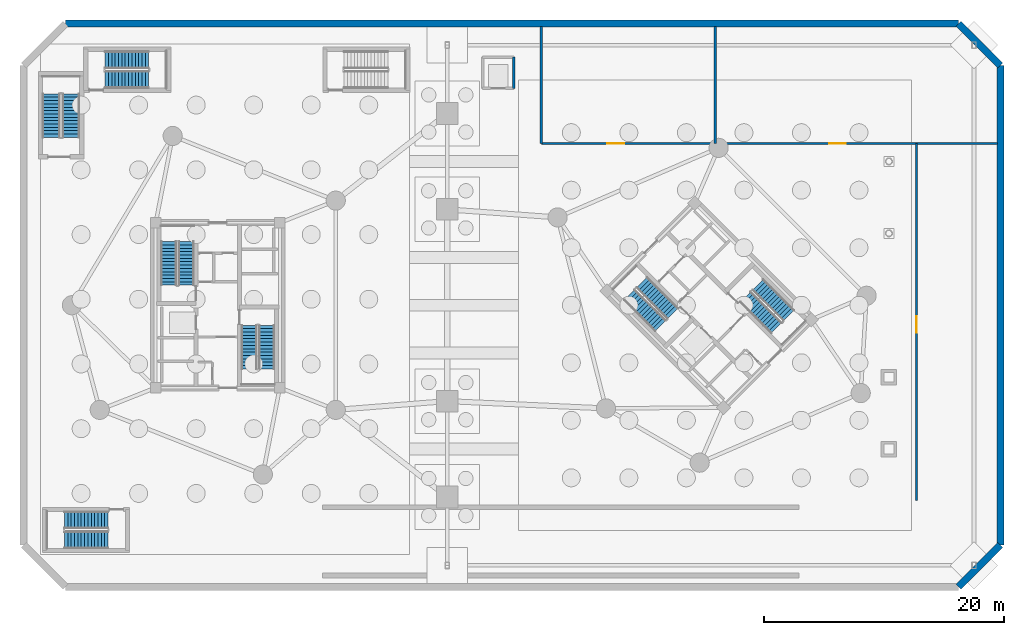
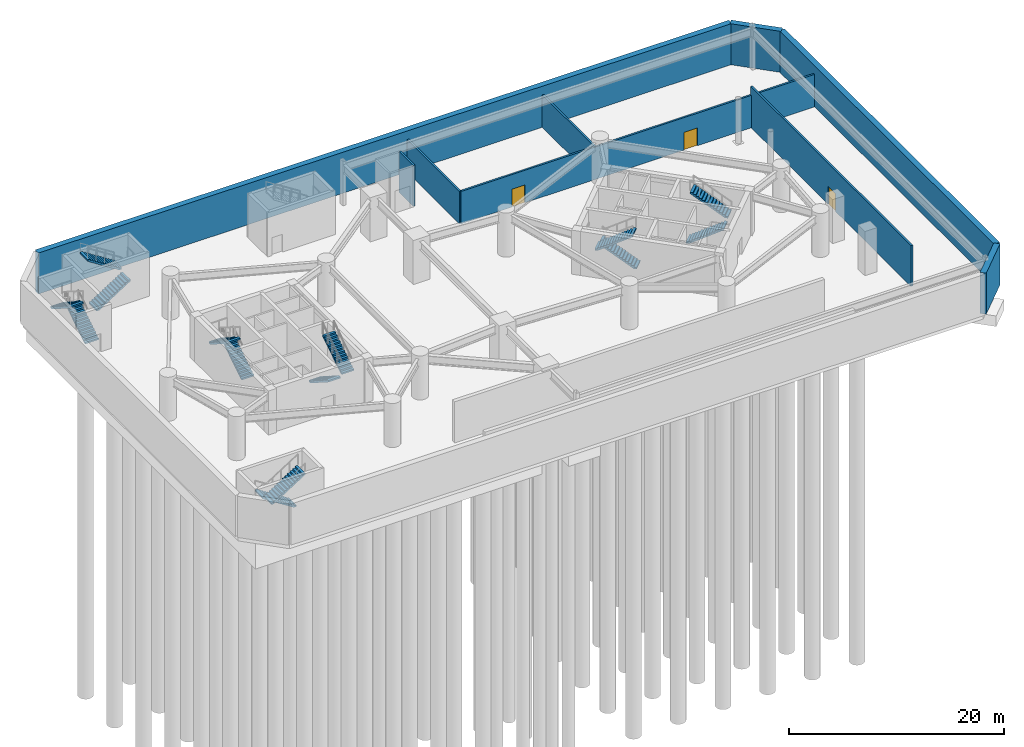
# One storey, part 9 of 15: 14 stair flights, 9 walls, 3 doors, 3 openings, 7 elements without a shape of their own.
"""IFC4 building model written with IfcOpenShell, lengths in metres."""

from ifc_helpers import new_model, si_unit, direction, frame, frame_2d, origin, place, context, subcontext, project, spatial, polyline, rectangle, outline, extrude, source, transform, mapped, material, layer, layer_set, type_object, element, fill, aggregate, save


model = new_model("IFC4")

# Units and contexts
model_context = context("Model", 3, precision=1e-05, world=origin(), true_north=direction((0.0, 1.0)))
body_context = subcontext(model_context, "Body", "Model", "MODEL_VIEW")
ifc_project = project(units=[si_unit("LENGTHUNIT", "METRE"), si_unit("AREAUNIT", "SQUARE_METRE"), si_unit("VOLUMEUNIT", "CUBIC_METRE"), si_unit("PLANEANGLEUNIT", "RADIAN"), si_unit("MASSUNIT", "GRAM", prefix="KILO")], contexts=[model_context])

# Site, building, storey
site_placement = place(None, origin())
site = spatial("IfcSite", under=ifc_project, at=site_placement, CompositionType="ELEMENT")
building_placement = place(site_placement, origin())
building = spatial("IfcBuilding", under=site, at=building_placement, Name="Cununo Teusaquillo Station Towers", CompositionType="ELEMENT")
storey_placement = place(building_placement, frame((0.0, 0.0, -10.0)))
storey = spatial("IfcBuildingStorey", under=building, at=storey_placement, Name="B02", CompositionType="ELEMENT", Elevation=-10.0)

# Wall
ifc_material_1 = material(Name="Fire-rated gypsum plasterboard partition assembly", Category="gypsum")
ifc_layer_1 = layer(ifc_material_1, 0.199951171875)
ifc_layer_set_1 = layer_set([ifc_layer_1], Name="Fire-rated gypsum plasterboard partition assembly")
wall_type_1 = type_object("IfcWallType", Name="WL-PART-200", PredefinedType="PARTITIONING", material=ifc_layer_set_1)
wall_1_placement = place(storey_placement, frame((41.199951171875, 42.60009765625, 0.0), z_axis=(0.0, 0.0, 1.0), x_axis=(0.0, 1.0, 0.0)))
element("IfcWall", 1, at=wall_1_placement, inside=storey, type_object=wall_type_1, Name="B02 Podium Lift Shaft Enclosure Wall E", PredefinedType="PARTITIONING", context=body_context, shape_type="SweptSolid", body=[
    extrude(rectangle(XDim=2.599853515625, YDim=0.199951171875, at=frame_2d((1.2998046875, 0.0))), origin(), (0.0, 0.0, 1.0), 4.64501953125),
])

# Wall, openings, doors
wall_2_placement = place(storey_placement, frame((43.5, 38.0, 0.0), z_axis=(0.0, 0.0, 1.0), x_axis=(1.0, 0.0, 0.0)))
wall_2 = element("IfcWall", 2, at=wall_2_placement, inside=storey, type_object=wall_type_1, Name="B02 North Plant Corridor Fire Wall", PredefinedType="PARTITIONING", context=body_context, shape_type="SweptSolid", body=[
    extrude(rectangle(XDim=38.050048828125, YDim=0.199951171875, at=frame_2d((19.02490234375, 0.0))), origin(), (0.0, 0.0, 1.0), 3.68896484375),
])
shared_shape_1 = source(origin(), body_context, "Body", "SweptSolid", [
    extrude(rectangle(XDim=1.39990234375, YDim=2.02001953125, at=frame_2d((0.699951171875, 1.010009765625))), frame((0.0, 0.10986328125, 0.0), z_axis=(0.0, -1.0, 0.0), x_axis=(1.0, 0.0, 0.0)), (0.0, 0.0, 1.0), 0.219970703125),
])
opening_1_placement = place(wall_2_placement, frame((5.5, 0.0, 0.0)))
opening_1 = element("IfcOpeningElement", 3, at=opening_1_placement, cuts=wall_2, Name="Opening D-PL1", PredefinedType="OPENING", context=body_context, shape_type="MappedRepresentation", body=[
    mapped(shared_shape_1, transform((0.0, 0.0, 0.0), x_axis=(1.0, 0.0, 0.0), y_axis=(0.0, 1.0, 0.0), z_axis=(0.0, 0.0, 1.0), scale=1.0)),
])
opening_2_placement = place(wall_2_placement, frame((24.0, 0.0, 0.0)))
opening_2 = element("IfcOpeningElement", 4, at=opening_2_placement, cuts=wall_2, Name="Opening D-PL1", PredefinedType="OPENING", context=body_context, shape_type="MappedRepresentation", body=[
    mapped(shared_shape_1, transform((0.0, 0.0, 0.0), x_axis=(1.0, 0.0, 0.0), y_axis=(0.0, 1.0, 0.0), z_axis=(0.0, 0.0, 1.0), scale=1.0)),
])
ifc_material_2 = material(Name="Galvanised fire-rated hollow steel door assembly", Category="steel")
door_type = type_object("IfcDoorType", Name="DR-PLANT-1400", OperationType="NOTDEFINED", PredefinedType="DOOR", material=ifc_material_2)
shared_shape_2 = source(origin(), body_context, "Body", "SweptSolid", [
    extrude(rectangle(XDim=1.39990234375, YDim=2.02001953125, at=frame_2d((0.699951171875, 1.010009765625))), frame((0.0, 0.02490234375, 0.0), z_axis=(0.0, -1.0, 0.0), x_axis=(1.0, 0.0, 0.0)), (0.0, 0.0, 1.0), 0.050048828125),
])
door_1_placement = place(opening_1_placement, origin())
door_1 = element("IfcDoor", 5, at=door_1_placement, inside=storey, type_object=door_type, Name="B02 High-Voltage Substation Door", OperationType="SINGLE_SWING_LEFT", OverallHeight=2.02001953125, OverallWidth=1.39990234375, PredefinedType="DOOR", context=body_context, shape_type="MappedRepresentation", body=[
    mapped(shared_shape_2, transform((0.0, 0.0, 0.0), x_axis=(1.0, 0.0, 0.0), y_axis=(0.0, 1.0, 0.0), z_axis=(0.0, 0.0, 1.0), scale=1.0)),
])
fill(opening_1, door_1)
door_2_placement = place(opening_2_placement, origin())
door_2 = element("IfcDoor", 6, at=door_2_placement, inside=storey, type_object=door_type, Name="B02 Standby Diesel Generator Hall Door", OperationType="SINGLE_SWING_RIGHT", OverallHeight=2.02001953125, OverallWidth=1.39990234375, PredefinedType="DOOR", context=body_context, shape_type="MappedRepresentation", body=[
    mapped(shared_shape_2, transform((0.0, 0.0, 0.0), x_axis=(1.0, 0.0, 0.0), y_axis=(0.0, 1.0, 0.0), z_axis=(0.0, 0.0, 1.0), scale=1.0)),
])
fill(opening_2, door_2)

# Walls
for number, where, z_axis, x_axis, name in (
    (7, (43.5, 38.0, 0.0), (0.0, 0.0, 1.0), (0.0, 1.0, 0.0), "B02 Substation West Fire Wall"),
    (8, (58.0, 38.0, 0.0), (0.0, 0.0, 1.0), (0.0, 1.0, 0.0), "B02 Substation & Generator Fire Wall"),
):
    element("IfcWall", number, at=place(storey_placement, frame(where, z_axis=z_axis, x_axis=x_axis)), inside=storey, type_object=wall_type_1, Name=name, PredefinedType="PARTITIONING", context=body_context, shape_type="SweptSolid", body=[
        extrude(rectangle(XDim=9.75, YDim=0.199951171875, at=frame_2d((4.875, 0.0))), origin(), (0.0, 0.0, 1.0), 3.68896484375),
    ])

# Wall, opening, door
wall_3_placement = place(storey_placement, frame((74.800048828125, 8.199951171875, 0.0), z_axis=(0.0, 0.0, 1.0), x_axis=(0.0, 1.0, 0.0)))
wall_3 = element("IfcWall", 9, at=wall_3_placement, inside=storey, type_object=wall_type_1, Name="B02 Fire & Domestic Water Tank Room Wall", PredefinedType="PARTITIONING", context=body_context, shape_type="SweptSolid", body=[
    extrude(rectangle(XDim=29.800048828125, YDim=0.199951171875, at=frame_2d((14.89990234375, 0.0))), origin(), (0.0, 0.0, 1.0), 4.64501953125),
])
opening_3_placement = place(wall_3_placement, frame((14.0, 0.0, 0.0)))
opening_3 = element("IfcOpeningElement", 10, at=opening_3_placement, cuts=wall_3, Name="Opening D-PL1", PredefinedType="OPENING", context=body_context, shape_type="MappedRepresentation", body=[
    mapped(shared_shape_1, transform((0.0, 0.0, 0.0), x_axis=(1.0, 0.0, 0.0), y_axis=(0.0, 1.0, 0.0), z_axis=(0.0, 0.0, 1.0), scale=1.0)),
])
door_3_placement = place(opening_3_placement, origin())
door_3 = element("IfcDoor", 11, at=door_3_placement, inside=storey, type_object=door_type, Name="B02 Fire & Domestic Water Pump Room Door", OperationType="SINGLE_SWING_LEFT", OverallHeight=2.02001953125, OverallWidth=1.39990234375, PredefinedType="DOOR", context=body_context, shape_type="MappedRepresentation", body=[
    mapped(shared_shape_2, transform((0.0, 0.0, 0.0), x_axis=(1.0, 0.0, 0.0), y_axis=(0.0, 1.0, 0.0), z_axis=(0.0, 0.0, 1.0), scale=1.0)),
])
fill(opening_3, door_3)

# Walls
ifc_material_3 = material(Name="Concrete C50/60", Category="concrete")
ifc_layer_2 = layer(ifc_material_3, 0.60009765625)
ifc_layer_set_2 = layer_set([ifc_layer_2], Name="Concrete C50/60")
wall_type_2 = type_object("IfcWallType", Name="WL-RET-600", PredefinedType="SOLIDWALL", material=ifc_layer_set_2)
wall_4_placement = place(storey_placement, frame((78.300048828125, 1.0, 0.0), z_axis=(0.0, 0.0, 1.0), x_axis=(0.707106781187, 0.707106781187, 0.0)))
element("IfcWall", 12, at=wall_4_placement, inside=storey, type_object=wall_type_2, Name="B02 Basement Diaphragm Retaining Wall 2", PredefinedType="SOLIDWALL", context=body_context, shape_type="SweptSolid", body=[
    extrude(rectangle(XDim=4.94970703125, YDim=0.60009765625, at=frame_2d((2.474853515625, 0.0))), origin(), (0.0, 0.0, 1.0), 4.659912109375),
])
wall_5_placement = place(storey_placement, frame((81.800048828125, 4.5, 0.0), z_axis=(0.0, 0.0, 1.0), x_axis=(0.0, 1.0, 0.0)))
element("IfcWall", 13, at=wall_5_placement, inside=storey, type_object=wall_type_2, Name="B02 Basement Diaphragm Retaining Wall 3", PredefinedType="SOLIDWALL", context=body_context, shape_type="SweptSolid", body=[
    extrude(rectangle(XDim=40.0, YDim=0.60009765625, at=frame_2d((20.0, 0.0))), origin(), (0.0, 0.0, 1.0), 4.659912109375),
])
wall_6_placement = place(storey_placement, frame((81.800048828125, 44.5, 0.0), z_axis=(0.0, 0.0, 1.0), x_axis=(-0.707106781187, 0.707106781187, 0.0)))
element("IfcWall", 14, at=wall_6_placement, inside=storey, type_object=wall_type_2, Name="B02 Basement Diaphragm Retaining Wall 4", PredefinedType="SOLIDWALL", context=body_context, shape_type="SweptSolid", body=[
    extrude(rectangle(XDim=4.94970703125, YDim=0.60009765625, at=frame_2d((2.474853515625, 0.0))), origin(), (0.0, 0.0, 1.0), 4.659912109375),
])
wall_7_placement = place(storey_placement, frame((78.300048828125, 48.0, 0.0), z_axis=(0.0, 0.0, 1.0), x_axis=(-1.0, 0.0, 0.0)))
element("IfcWall", 15, at=wall_7_placement, inside=storey, type_object=wall_type_2, Name="B02 Basement Diaphragm Retaining Wall 5", PredefinedType="SOLIDWALL", context=body_context, shape_type="SweptSolid", body=[
    extrude(rectangle(XDim=74.5, YDim=0.60009765625, at=frame_2d((37.25, 0.0))), origin(), (0.0, 0.0, 1.0), 4.659912109375),
])

# Stair, stair flights
ifc_material_4 = material(Name="Concrete C50/60", Category="concrete")
stair_type_1 = type_object("IfcStairType", Name="ST-POD-1450", PredefinedType="HALF_TURN_STAIR", material=ifc_material_4)
stair_1_placement = place(storey_placement, origin())
stair_1 = element("IfcStair", 16, at=stair_1_placement, inside=storey, type_object=stair_type_1, Name="B02 Station Podium South Protected Exit Stair", PredefinedType="HALF_TURN_STAIR")
ifc_material_5 = material(Name="Concrete C50/60", Category="concrete")
stair_flight_type_1 = type_object("IfcStairFlightType", Name="SFL-POD-1450", PredefinedType="STRAIGHT", material=ifc_material_5)
stair_flight_1_placement = place(storey_placement, frame((7.35009765625, 6.574951171875, 0.0), z_axis=(0.0, 0.0, 1.0), x_axis=(-1.0, 0.0, 0.0)))
stair_flight_1 = element("IfcStairFlight", 17, at=stair_flight_1_placement, type_object=stair_flight_type_1, Name="ST-POD-S flight 1", NumberOfRisers=14, NumberOfTreads=13, PredefinedType="STRAIGHT", RiserHeight=0.178571429, TreadLength=0.28, context=body_context, shape_type="SweptSolid", body=[
    extrude(outline(polyline([(0.0, 0.0), (0.0, 0.178466796875), (0.280029296875, 0.178466796875), (0.280029296875, 0.357177734375), (0.56005859375, 0.357177734375), (0.56005859375, 0.53564453125), (0.840087890625, 0.53564453125), (0.840087890625, 0.71435546875), (1.1201171875, 0.71435546875), (1.1201171875, 0.892822265625), (1.39990234375, 0.892822265625), (1.39990234375, 1.071533203125), (1.679931640625, 1.071533203125), (1.679931640625, 1.25), (1.9599609375, 1.25), (1.9599609375, 1.428466796875), (2.239990234375, 1.428466796875), (2.239990234375, 1.607177734375), (2.52001953125, 1.607177734375), (2.52001953125, 1.78564453125), (2.800048828125, 1.78564453125), (2.800048828125, 1.96435546875), (3.080078125, 1.96435546875), (3.080078125, 2.142822265625), (3.360107421875, 2.142822265625), (3.360107421875, 2.321533203125), (3.639892578125, 2.321533203125), (3.639892578125, 2.5), (3.639892578125, 2.1435546875), (0.27880859375, 0.0), (0.0, 0.0)])), frame((0.0, 0.72509765625, 0.0), z_axis=(0.0, -1.0, 0.0), x_axis=(1.0, 0.0, 0.0)), (0.0, 0.0, 1.0), 1.449951171875),
])
stair_flight_2_placement = place(storey_placement, frame((3.7099609375, 4.925048828125, 2.5), z_axis=(0.0, 0.0, 1.0), x_axis=(1.0, 0.0, 0.0)))
stair_flight_2 = element("IfcStairFlight", 18, at=stair_flight_2_placement, type_object=stair_flight_type_1, Name="ST-POD-S flight 2", NumberOfRisers=14, NumberOfTreads=13, PredefinedType="STRAIGHT", RiserHeight=0.178571429, TreadLength=0.28, context=body_context, shape_type="SweptSolid", body=[
    extrude(outline(polyline([(0.0, 0.0), (0.0, 0.178466796875), (0.280029296875, 0.178466796875), (0.280029296875, 0.357177734375), (0.56005859375, 0.357177734375), (0.56005859375, 0.53564453125), (0.840087890625, 0.53564453125), (0.840087890625, 0.71435546875), (1.1201171875, 0.71435546875), (1.1201171875, 0.892822265625), (1.39990234375, 0.892822265625), (1.39990234375, 1.071533203125), (1.679931640625, 1.071533203125), (1.679931640625, 1.25), (1.9599609375, 1.25), (1.9599609375, 1.428466796875), (2.239990234375, 1.428466796875), (2.239990234375, 1.607177734375), (2.52001953125, 1.607177734375), (2.52001953125, 1.78564453125), (2.800048828125, 1.78564453125), (2.800048828125, 1.96435546875), (3.080078125, 1.96435546875), (3.080078125, 2.142822265625), (3.360107421875, 2.142822265625), (3.360107421875, 2.321533203125), (3.639892578125, 2.321533203125), (3.639892578125, 2.5), (3.639892578125, 2.1435546875), (0.27880859375, 0.0), (0.0, 0.0)])), frame((0.0, 0.72509765625, 0.0), z_axis=(0.0, -1.0, 0.0), x_axis=(1.0, 0.0, 0.0)), (0.0, 0.0, 1.0), 1.449951171875),
])
aggregate(stair_1, [stair_flight_1, stair_flight_2])

stair_2_placement = place(storey_placement, origin())
stair_2 = element("IfcStair", 19, at=stair_2_placement, inside=storey, type_object=stair_type_1, Name="B02 Station Podium West Protected Exit Stair", PredefinedType="HALF_TURN_STAIR")
stair_flight_3_placement = place(storey_placement, frame((4.2548828125, 38.5, 0.0), z_axis=(0.0, 0.0, 1.0), x_axis=(0.0, 1.0, 0.0)))
stair_flight_3 = element("IfcStairFlight", 20, at=stair_flight_3_placement, type_object=stair_flight_type_1, Name="ST-POD-W flight 1", NumberOfRisers=14, NumberOfTreads=13, PredefinedType="STRAIGHT", RiserHeight=0.178571429, TreadLength=0.28, context=body_context, shape_type="SweptSolid", body=[
    extrude(outline(polyline([(0.0, 0.0), (0.0, 0.178466796875), (0.280029296875, 0.178466796875), (0.280029296875, 0.357177734375), (0.56005859375, 0.357177734375), (0.56005859375, 0.53564453125), (0.840087890625, 0.53564453125), (0.840087890625, 0.71435546875), (1.1201171875, 0.71435546875), (1.1201171875, 0.892822265625), (1.39990234375, 0.892822265625), (1.39990234375, 1.071533203125), (1.679931640625, 1.071533203125), (1.679931640625, 1.25), (1.9599609375, 1.25), (1.9599609375, 1.428466796875), (2.239990234375, 1.428466796875), (2.239990234375, 1.607177734375), (2.52001953125, 1.607177734375), (2.52001953125, 1.78564453125), (2.800048828125, 1.78564453125), (2.800048828125, 1.96435546875), (3.080078125, 1.96435546875), (3.080078125, 2.142822265625), (3.360107421875, 2.142822265625), (3.360107421875, 2.321533203125), (3.639892578125, 2.321533203125), (3.639892578125, 2.5), (3.639892578125, 2.1435546875), (0.27880859375, 0.0), (0.0, 0.0)])), frame((0.0, 0.72509765625, 0.0), z_axis=(0.0, -1.0, 0.0), x_axis=(1.0, 0.0, 0.0)), (0.0, 0.0, 1.0), 1.449951171875),
])
stair_flight_4_placement = place(storey_placement, frame((2.60498046875, 42.139892578125, 2.5), z_axis=(0.0, 0.0, 1.0), x_axis=(0.0, -1.0, 0.0)))
stair_flight_4 = element("IfcStairFlight", 21, at=stair_flight_4_placement, type_object=stair_flight_type_1, Name="ST-POD-W flight 2", NumberOfRisers=14, NumberOfTreads=13, PredefinedType="STRAIGHT", RiserHeight=0.178571429, TreadLength=0.28, context=body_context, shape_type="SweptSolid", body=[
    extrude(outline(polyline([(0.0, 0.0), (0.0, 0.178466796875), (0.280029296875, 0.178466796875), (0.280029296875, 0.357177734375), (0.56005859375, 0.357177734375), (0.56005859375, 0.53564453125), (0.840087890625, 0.53564453125), (0.840087890625, 0.71435546875), (1.1201171875, 0.71435546875), (1.1201171875, 0.892822265625), (1.39990234375, 0.892822265625), (1.39990234375, 1.071533203125), (1.679931640625, 1.071533203125), (1.679931640625, 1.25), (1.9599609375, 1.25), (1.9599609375, 1.428466796875), (2.239990234375, 1.428466796875), (2.239990234375, 1.607177734375), (2.52001953125, 1.607177734375), (2.52001953125, 1.78564453125), (2.800048828125, 1.78564453125), (2.800048828125, 1.96435546875), (3.080078125, 1.96435546875), (3.080078125, 2.142822265625), (3.360107421875, 2.142822265625), (3.360107421875, 2.321533203125), (3.639892578125, 2.321533203125), (3.639892578125, 2.5), (3.639892578125, 2.1435546875), (0.27880859375, 0.0), (0.0, 0.0)])), frame((0.0, 0.72509765625, 0.0), z_axis=(0.0, -1.0, 0.0), x_axis=(1.0, 0.0, 0.0)), (0.0, 0.0, 1.0), 1.449951171875),
])
aggregate(stair_2, [stair_flight_3, stair_flight_4])

stair_3_placement = place(storey_placement, origin())
stair_3 = element("IfcStair", 22, at=stair_3_placement, inside=storey, type_object=stair_type_1, Name="B02 Station Podium North-West Protected Exit Stair", PredefinedType="HALF_TURN_STAIR")
stair_flight_5_placement = place(storey_placement, frame((7.10009765625, 43.324951171875, 0.0), z_axis=(0.0, 0.0, 1.0), x_axis=(1.0, 0.0, 0.0)))
stair_flight_5 = element("IfcStairFlight", 23, at=stair_flight_5_placement, type_object=stair_flight_type_1, Name="ST-POD-C flight 1", NumberOfRisers=14, NumberOfTreads=13, PredefinedType="STRAIGHT", RiserHeight=0.178571429, TreadLength=0.28, context=body_context, shape_type="SweptSolid", body=[
    extrude(outline(polyline([(0.0, 0.0), (0.0, 0.178466796875), (0.280029296875, 0.178466796875), (0.280029296875, 0.357177734375), (0.56005859375, 0.357177734375), (0.56005859375, 0.53564453125), (0.840087890625, 0.53564453125), (0.840087890625, 0.71435546875), (1.1201171875, 0.71435546875), (1.1201171875, 0.892822265625), (1.39990234375, 0.892822265625), (1.39990234375, 1.071533203125), (1.679931640625, 1.071533203125), (1.679931640625, 1.25), (1.9599609375, 1.25), (1.9599609375, 1.428466796875), (2.239990234375, 1.428466796875), (2.239990234375, 1.607177734375), (2.52001953125, 1.607177734375), (2.52001953125, 1.78564453125), (2.800048828125, 1.78564453125), (2.800048828125, 1.96435546875), (3.080078125, 1.96435546875), (3.080078125, 2.142822265625), (3.360107421875, 2.142822265625), (3.360107421875, 2.321533203125), (3.639892578125, 2.321533203125), (3.639892578125, 2.5), (3.639892578125, 2.1435546875), (0.27880859375, 0.0), (0.0, 0.0)])), frame((0.0, 0.72509765625, 0.0), z_axis=(0.0, -1.0, 0.0), x_axis=(1.0, 0.0, 0.0)), (0.0, 0.0, 1.0), 1.449951171875),
])
stair_flight_6_placement = place(storey_placement, frame((10.739990234375, 44.97509765625, 2.5), z_axis=(0.0, 0.0, 1.0), x_axis=(-1.0, 0.0, 0.0)))
stair_flight_6 = element("IfcStairFlight", 24, at=stair_flight_6_placement, type_object=stair_flight_type_1, Name="ST-POD-C flight 2", NumberOfRisers=14, NumberOfTreads=13, PredefinedType="STRAIGHT", RiserHeight=0.178571429, TreadLength=0.28, context=body_context, shape_type="SweptSolid", body=[
    extrude(outline(polyline([(0.0, 0.0), (0.0, 0.178466796875), (0.280029296875, 0.178466796875), (0.280029296875, 0.357177734375), (0.56005859375, 0.357177734375), (0.56005859375, 0.53564453125), (0.840087890625, 0.53564453125), (0.840087890625, 0.71435546875), (1.1201171875, 0.71435546875), (1.1201171875, 0.892822265625), (1.39990234375, 0.892822265625), (1.39990234375, 1.071533203125), (1.679931640625, 1.071533203125), (1.679931640625, 1.25), (1.9599609375, 1.25), (1.9599609375, 1.428466796875), (2.239990234375, 1.428466796875), (2.239990234375, 1.607177734375), (2.52001953125, 1.607177734375), (2.52001953125, 1.78564453125), (2.800048828125, 1.78564453125), (2.800048828125, 1.96435546875), (3.080078125, 1.96435546875), (3.080078125, 2.142822265625), (3.360107421875, 2.142822265625), (3.360107421875, 2.321533203125), (3.639892578125, 2.321533203125), (3.639892578125, 2.5), (3.639892578125, 2.1435546875), (0.27880859375, 0.0), (0.0, 0.0)])), frame((0.0, 0.72509765625, 0.0), z_axis=(0.0, -1.0, 0.0), x_axis=(1.0, 0.0, 0.0)), (0.0, 0.0, 1.0), 1.449951171875),
])
aggregate(stair_3, [stair_flight_5, stair_flight_6])

ifc_material_6 = material(Name="Concrete C50/60", Category="concrete")
stair_type_2 = type_object("IfcStairType", Name="ST-TWR-1300", PredefinedType="HALF_TURN_STAIR", material=ifc_material_6)
stair_4_placement = place(storey_placement, origin())
stair_4 = element("IfcStair", 25, at=stair_4_placement, inside=storey, type_object=stair_type_2, Name="B02 Tower A Protected Core Exit Stair 1", PredefinedType="HALF_TURN_STAIR")
ifc_material_7 = material(Name="Concrete C50/60", Category="concrete")
stair_flight_type_2 = type_object("IfcStairFlightType", Name="SFL-TWR-1300", PredefinedType="STRAIGHT", material=ifc_material_7)
stair_flight_7_placement = place(storey_placement, frame((13.8701171875, 26.169921875, 0.0), z_axis=(0.0, 0.0, 1.0), x_axis=(0.0, 1.0, 0.0)))
stair_flight_7 = element("IfcStairFlight", 26, at=stair_flight_7_placement, type_object=stair_flight_type_2, Name="ST-T1-1 flight 1", NumberOfRisers=14, NumberOfTreads=13, PredefinedType="STRAIGHT", RiserHeight=0.178571429, TreadLength=0.28, context=body_context, shape_type="SweptSolid", body=[
    extrude(outline(polyline([(0.0, 0.0), (0.0, 0.178466796875), (0.280029296875, 0.178466796875), (0.280029296875, 0.357177734375), (0.56005859375, 0.357177734375), (0.56005859375, 0.53564453125), (0.840087890625, 0.53564453125), (0.840087890625, 0.71435546875), (1.1201171875, 0.71435546875), (1.1201171875, 0.892822265625), (1.39990234375, 0.892822265625), (1.39990234375, 1.071533203125), (1.679931640625, 1.071533203125), (1.679931640625, 1.25), (1.9599609375, 1.25), (1.9599609375, 1.428466796875), (2.239990234375, 1.428466796875), (2.239990234375, 1.607177734375), (2.52001953125, 1.607177734375), (2.52001953125, 1.78564453125), (2.800048828125, 1.78564453125), (2.800048828125, 1.96435546875), (3.080078125, 1.96435546875), (3.080078125, 2.142822265625), (3.360107421875, 2.142822265625), (3.360107421875, 2.321533203125), (3.639892578125, 2.321533203125), (3.639892578125, 2.5), (3.639892578125, 2.1435546875), (0.27880859375, 0.0), (0.0, 0.0)])), frame((0.0, 0.64990234375, 0.0), z_axis=(0.0, -1.0, 0.0), x_axis=(1.0, 0.0, 0.0)), (0.0, 0.0, 1.0), 1.300048828125),
])
stair_flight_8_placement = place(storey_placement, frame((12.409912109375, 29.81005859375, 2.5), z_axis=(0.0, 0.0, 1.0), x_axis=(0.0, -1.0, 0.0)))
stair_flight_8 = element("IfcStairFlight", 27, at=stair_flight_8_placement, type_object=stair_flight_type_2, Name="ST-T1-1 flight 2", NumberOfRisers=14, NumberOfTreads=13, PredefinedType="STRAIGHT", RiserHeight=0.178571429, TreadLength=0.28, context=body_context, shape_type="SweptSolid", body=[
    extrude(outline(polyline([(0.0, 0.0), (0.0, 0.178466796875), (0.280029296875, 0.178466796875), (0.280029296875, 0.357177734375), (0.56005859375, 0.357177734375), (0.56005859375, 0.53564453125), (0.840087890625, 0.53564453125), (0.840087890625, 0.71435546875), (1.1201171875, 0.71435546875), (1.1201171875, 0.892822265625), (1.39990234375, 0.892822265625), (1.39990234375, 1.071533203125), (1.679931640625, 1.071533203125), (1.679931640625, 1.25), (1.9599609375, 1.25), (1.9599609375, 1.428466796875), (2.239990234375, 1.428466796875), (2.239990234375, 1.607177734375), (2.52001953125, 1.607177734375), (2.52001953125, 1.78564453125), (2.800048828125, 1.78564453125), (2.800048828125, 1.96435546875), (3.080078125, 1.96435546875), (3.080078125, 2.142822265625), (3.360107421875, 2.142822265625), (3.360107421875, 2.321533203125), (3.639892578125, 2.321533203125), (3.639892578125, 2.5), (3.639892578125, 2.1435546875), (0.27880859375, 0.0), (0.0, 0.0)])), frame((0.0, 0.64990234375, 0.0), z_axis=(0.0, -1.0, 0.0), x_axis=(1.0, 0.0, 0.0)), (0.0, 0.0, 1.0), 1.300048828125),
])
aggregate(stair_4, [stair_flight_7, stair_flight_8])

stair_5_placement = place(storey_placement, origin())
stair_5 = element("IfcStair", 28, at=stair_5_placement, inside=storey, type_object=stair_type_2, Name="B02 Tower A Protected Core Exit Stair 2", PredefinedType="HALF_TURN_STAIR")
stair_flight_9_placement = place(storey_placement, frame((19.1298828125, 22.830078125, 0.0), z_axis=(0.0, 0.0, 1.0), x_axis=(0.0, -1.0, 0.0)))
stair_flight_9 = element("IfcStairFlight", 29, at=stair_flight_9_placement, type_object=stair_flight_type_2, Name="ST-T1-2 flight 1", NumberOfRisers=14, NumberOfTreads=13, PredefinedType="STRAIGHT", RiserHeight=0.178571429, TreadLength=0.28, context=body_context, shape_type="SweptSolid", body=[
    extrude(outline(polyline([(0.0, 0.0), (0.0, 0.178466796875), (0.280029296875, 0.178466796875), (0.280029296875, 0.357177734375), (0.56005859375, 0.357177734375), (0.56005859375, 0.53564453125), (0.840087890625, 0.53564453125), (0.840087890625, 0.71435546875), (1.1201171875, 0.71435546875), (1.1201171875, 0.892822265625), (1.39990234375, 0.892822265625), (1.39990234375, 1.071533203125), (1.679931640625, 1.071533203125), (1.679931640625, 1.25), (1.9599609375, 1.25), (1.9599609375, 1.428466796875), (2.239990234375, 1.428466796875), (2.239990234375, 1.607177734375), (2.52001953125, 1.607177734375), (2.52001953125, 1.78564453125), (2.800048828125, 1.78564453125), (2.800048828125, 1.96435546875), (3.080078125, 1.96435546875), (3.080078125, 2.142822265625), (3.360107421875, 2.142822265625), (3.360107421875, 2.321533203125), (3.639892578125, 2.321533203125), (3.639892578125, 2.5), (3.639892578125, 2.1435546875), (0.27880859375, 0.0), (0.0, 0.0)])), frame((0.0, 0.64990234375, 0.0), z_axis=(0.0, -1.0, 0.0), x_axis=(1.0, 0.0, 0.0)), (0.0, 0.0, 1.0), 1.300048828125),
])
stair_flight_10_placement = place(storey_placement, frame((20.590087890625, 19.18994140625, 2.5), z_axis=(0.0, 0.0, 1.0), x_axis=(0.0, 1.0, 0.0)))
stair_flight_10 = element("IfcStairFlight", 30, at=stair_flight_10_placement, type_object=stair_flight_type_2, Name="ST-T1-2 flight 2", NumberOfRisers=14, NumberOfTreads=13, PredefinedType="STRAIGHT", RiserHeight=0.178571429, TreadLength=0.28, context=body_context, shape_type="SweptSolid", body=[
    extrude(outline(polyline([(0.0, 0.0), (0.0, 0.178466796875), (0.280029296875, 0.178466796875), (0.280029296875, 0.357177734375), (0.56005859375, 0.357177734375), (0.56005859375, 0.53564453125), (0.840087890625, 0.53564453125), (0.840087890625, 0.71435546875), (1.1201171875, 0.71435546875), (1.1201171875, 0.892822265625), (1.39990234375, 0.892822265625), (1.39990234375, 1.071533203125), (1.679931640625, 1.071533203125), (1.679931640625, 1.25), (1.9599609375, 1.25), (1.9599609375, 1.428466796875), (2.239990234375, 1.428466796875), (2.239990234375, 1.607177734375), (2.52001953125, 1.607177734375), (2.52001953125, 1.78564453125), (2.800048828125, 1.78564453125), (2.800048828125, 1.96435546875), (3.080078125, 1.96435546875), (3.080078125, 2.142822265625), (3.360107421875, 2.142822265625), (3.360107421875, 2.321533203125), (3.639892578125, 2.321533203125), (3.639892578125, 2.5), (3.639892578125, 2.1435546875), (0.27880859375, 0.0), (0.0, 0.0)])), frame((0.0, 0.64990234375, 0.0), z_axis=(0.0, -1.0, 0.0), x_axis=(1.0, 0.0, 0.0)), (0.0, 0.0, 1.0), 1.300048828125),
])
aggregate(stair_5, [stair_flight_9, stair_flight_10])

stair_6_placement = place(storey_placement, origin())
stair_6 = element("IfcStair", 31, at=stair_6_placement, inside=storey, type_object=stair_type_2, Name="B02 Tower B Protected Core Exit Stair 1", PredefinedType="HALF_TURN_STAIR")
stair_flight_11_placement = place(storey_placement, frame((54.45947265625, 23.8212890625, 0.0), z_axis=(0.0, 0.0, 1.0), x_axis=(-0.707106781187, 0.707106781187, 0.0)))
stair_flight_11 = element("IfcStairFlight", 32, at=stair_flight_11_placement, type_object=stair_flight_type_2, Name="ST-T2-1 flight 1", NumberOfRisers=14, NumberOfTreads=13, PredefinedType="STRAIGHT", RiserHeight=0.178571429, TreadLength=0.28, context=body_context, shape_type="SweptSolid", body=[
    extrude(outline(polyline([(0.0, 0.0), (0.0, 0.178466796875), (0.280029296875, 0.178466796875), (0.280029296875, 0.357177734375), (0.56005859375, 0.357177734375), (0.56005859375, 0.53564453125), (0.840087890625, 0.53564453125), (0.840087890625, 0.71435546875), (1.1201171875, 0.71435546875), (1.1201171875, 0.892822265625), (1.39990234375, 0.892822265625), (1.39990234375, 1.071533203125), (1.679931640625, 1.071533203125), (1.679931640625, 1.25), (1.9599609375, 1.25), (1.9599609375, 1.428466796875), (2.239990234375, 1.428466796875), (2.239990234375, 1.607177734375), (2.52001953125, 1.607177734375), (2.52001953125, 1.78564453125), (2.800048828125, 1.78564453125), (2.800048828125, 1.96435546875), (3.080078125, 1.96435546875), (3.080078125, 2.142822265625), (3.360107421875, 2.142822265625), (3.360107421875, 2.321533203125), (3.639892578125, 2.321533203125), (3.639892578125, 2.5), (3.639892578125, 2.1435546875), (0.27880859375, 0.0), (0.0, 0.0)])), frame((0.0, 0.64990234375, 0.0), z_axis=(0.0, -1.0, 0.0), x_axis=(1.0, 0.0, 0.0)), (0.0, 0.0, 1.0), 1.300048828125),
])
stair_flight_12_placement = place(storey_placement, frame((50.853271484375, 25.362548828125, 2.5), z_axis=(0.0, 0.0, 1.0), x_axis=(0.707106781187, -0.707106781187, 0.0)))
stair_flight_12 = element("IfcStairFlight", 33, at=stair_flight_12_placement, type_object=stair_flight_type_2, Name="ST-T2-1 flight 2", NumberOfRisers=14, NumberOfTreads=13, PredefinedType="STRAIGHT", RiserHeight=0.178571429, TreadLength=0.28, context=body_context, shape_type="SweptSolid", body=[
    extrude(outline(polyline([(0.0, 0.0), (0.0, 0.178466796875), (0.280029296875, 0.178466796875), (0.280029296875, 0.357177734375), (0.56005859375, 0.357177734375), (0.56005859375, 0.53564453125), (0.840087890625, 0.53564453125), (0.840087890625, 0.71435546875), (1.1201171875, 0.71435546875), (1.1201171875, 0.892822265625), (1.39990234375, 0.892822265625), (1.39990234375, 1.071533203125), (1.679931640625, 1.071533203125), (1.679931640625, 1.25), (1.9599609375, 1.25), (1.9599609375, 1.428466796875), (2.239990234375, 1.428466796875), (2.239990234375, 1.607177734375), (2.52001953125, 1.607177734375), (2.52001953125, 1.78564453125), (2.800048828125, 1.78564453125), (2.800048828125, 1.96435546875), (3.080078125, 1.96435546875), (3.080078125, 2.142822265625), (3.360107421875, 2.142822265625), (3.360107421875, 2.321533203125), (3.639892578125, 2.321533203125), (3.639892578125, 2.5), (3.639892578125, 2.1435546875), (0.27880859375, 0.0), (0.0, 0.0)])), frame((0.0, 0.64990234375, 0.0), z_axis=(0.0, -1.0, 0.0), x_axis=(1.0, 0.0, 0.0)), (0.0, 0.0, 1.0), 1.300048828125),
])
aggregate(stair_6, [stair_flight_11, stair_flight_12])

stair_7_placement = place(storey_placement, origin())
stair_7 = element("IfcStair", 34, at=stair_7_placement, inside=storey, type_object=stair_type_2, Name="B02 Tower B Protected Core Exit Stair 2", PredefinedType="HALF_TURN_STAIR")
stair_flight_13_placement = place(storey_placement, frame((60.54052734375, 25.1787109375, 0.0), z_axis=(0.0, 0.0, 1.0), x_axis=(0.707106781187, -0.707106781187, 0.0)))
stair_flight_13 = element("IfcStairFlight", 35, at=stair_flight_13_placement, type_object=stair_flight_type_2, Name="ST-T2-2 flight 1", NumberOfRisers=14, NumberOfTreads=13, PredefinedType="STRAIGHT", RiserHeight=0.178571429, TreadLength=0.28, context=body_context, shape_type="SweptSolid", body=[
    extrude(outline(polyline([(0.0, 0.0), (0.0, 0.178466796875), (0.280029296875, 0.178466796875), (0.280029296875, 0.357177734375), (0.56005859375, 0.357177734375), (0.56005859375, 0.53564453125), (0.840087890625, 0.53564453125), (0.840087890625, 0.71435546875), (1.1201171875, 0.71435546875), (1.1201171875, 0.892822265625), (1.39990234375, 0.892822265625), (1.39990234375, 1.071533203125), (1.679931640625, 1.071533203125), (1.679931640625, 1.25), (1.9599609375, 1.25), (1.9599609375, 1.428466796875), (2.239990234375, 1.428466796875), (2.239990234375, 1.607177734375), (2.52001953125, 1.607177734375), (2.52001953125, 1.78564453125), (2.800048828125, 1.78564453125), (2.800048828125, 1.96435546875), (3.080078125, 1.96435546875), (3.080078125, 2.142822265625), (3.360107421875, 2.142822265625), (3.360107421875, 2.321533203125), (3.639892578125, 2.321533203125), (3.639892578125, 2.5), (3.639892578125, 2.1435546875), (0.27880859375, 0.0), (0.0, 0.0)])), frame((0.0, 0.64990234375, 0.0), z_axis=(0.0, -1.0, 0.0), x_axis=(1.0, 0.0, 0.0)), (0.0, 0.0, 1.0), 1.300048828125),
])
stair_flight_14_placement = place(storey_placement, frame((64.146728515625, 23.637451171875, 2.5), z_axis=(0.0, 0.0, 1.0), x_axis=(-0.707106781187, 0.707106781187, 0.0)))
stair_flight_14 = element("IfcStairFlight", 36, at=stair_flight_14_placement, type_object=stair_flight_type_2, Name="ST-T2-2 flight 2", NumberOfRisers=14, NumberOfTreads=13, PredefinedType="STRAIGHT", RiserHeight=0.178571429, TreadLength=0.28, context=body_context, shape_type="SweptSolid", body=[
    extrude(outline(polyline([(0.0, 0.0), (0.0, 0.178466796875), (0.280029296875, 0.178466796875), (0.280029296875, 0.357177734375), (0.56005859375, 0.357177734375), (0.56005859375, 0.53564453125), (0.840087890625, 0.53564453125), (0.840087890625, 0.71435546875), (1.1201171875, 0.71435546875), (1.1201171875, 0.892822265625), (1.39990234375, 0.892822265625), (1.39990234375, 1.071533203125), (1.679931640625, 1.071533203125), (1.679931640625, 1.25), (1.9599609375, 1.25), (1.9599609375, 1.428466796875), (2.239990234375, 1.428466796875), (2.239990234375, 1.607177734375), (2.52001953125, 1.607177734375), (2.52001953125, 1.78564453125), (2.800048828125, 1.78564453125), (2.800048828125, 1.96435546875), (3.080078125, 1.96435546875), (3.080078125, 2.142822265625), (3.360107421875, 2.142822265625), (3.360107421875, 2.321533203125), (3.639892578125, 2.321533203125), (3.639892578125, 2.5), (3.639892578125, 2.1435546875), (0.27880859375, 0.0), (0.0, 0.0)])), frame((0.0, 0.64990234375, 0.0), z_axis=(0.0, -1.0, 0.0), x_axis=(1.0, 0.0, 0.0)), (0.0, 0.0, 1.0), 1.300048828125),
])
aggregate(stair_7, [stair_flight_13, stair_flight_14])

save(model, "model.ifc")
